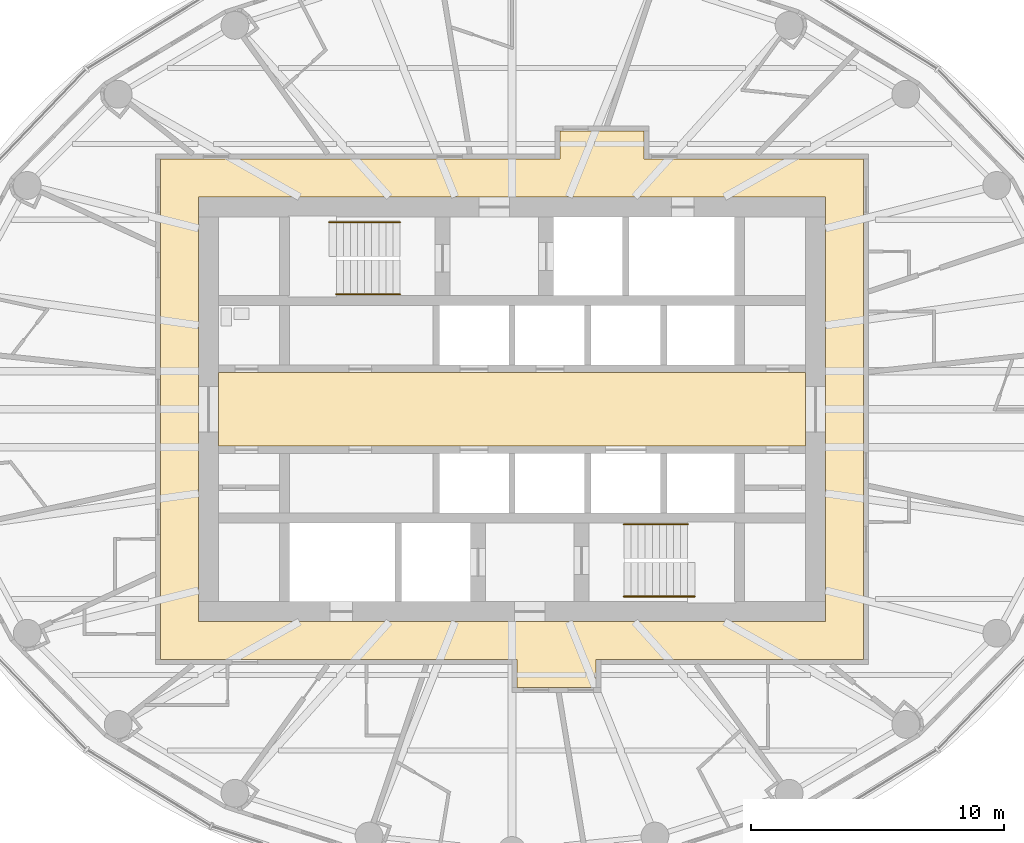
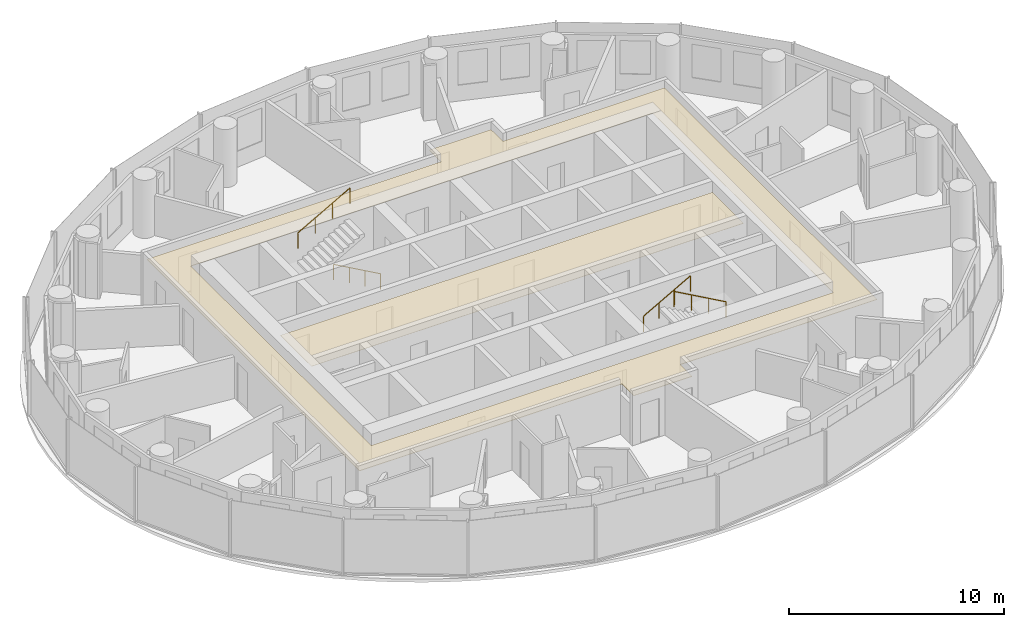
# One storey, part 13 of 14: 4 railings, 2 coverings.
"""IFC4 building model written with IfcOpenShell, lengths in metres."""

from ifc_helpers import new_model, si_unit, direction, frame, origin, origin_2d, place, context, subcontext, project, spatial, polyline, circle, outline, extrude, material, layer, layer_set, type_object, element, save


model = new_model("IFC4")

# Units and contexts
model_context = context("Model", 3, precision=1e-05, world=origin(), true_north=direction((0.0, 1.0)))
body_context = subcontext(model_context, "Body", "Model", "MODEL_VIEW")
ifc_project = project(units=[si_unit("LENGTHUNIT", "METRE"), si_unit("AREAUNIT", "SQUARE_METRE"), si_unit("VOLUMEUNIT", "CUBIC_METRE"), si_unit("PLANEANGLEUNIT", "RADIAN"), si_unit("MASSUNIT", "GRAM", prefix="KILO")], contexts=[model_context])

# Site, building, storey
site_placement = place(None, origin())
site = spatial("IfcSite", under=ifc_project, at=site_placement, CompositionType="ELEMENT")
building_placement = place(site_placement, origin())
building = spatial("IfcBuilding", under=site, at=building_placement, Name="Hankou Lantern Tower", CompositionType="ELEMENT")
storey_placement = place(building_placement, frame((0.0, 0.0, 179.699951171875)))
storey = spatial("IfcBuildingStorey", under=building, at=storey_placement, Name="L48", CompositionType="ELEMENT", Elevation=179.699951171875)

# Coverings
ifc_material_1 = material(Name="Black painted aluminium linear ceiling panels", Category="aluminium")
ifc_layer_1 = layer(ifc_material_1, 0.02490234375)
ifc_layer_set_1 = layer_set([ifc_layer_1], Name="Black painted aluminium linear ceiling panels")
covering_type_1 = type_object("IfcCoveringType", Name="CL1 CORRIDOR CEILING 25", PredefinedType="CEILING", material=ifc_layer_set_1)
covering_1_placement = place(storey_placement, frame((0.0, 0.0, 2.64501953125)))
element("IfcCovering", 1, at=covering_1_placement, inside=storey, type_object=covering_type_1, Name="Corridor ceiling L48", PredefinedType="CEILING", context=body_context, shape_type="SweptSolid", body=[
    extrude(outline(polyline([(3.318115234375, -9.89990234375), (13.89990234375, -9.89990234375), (13.89990234375, 9.89990234375), (5.226806640625, 9.89990234375), (5.226806640625, 11.0), (1.907470703125, 11.0), (1.907470703125, 9.89990234375), (-13.89990234375, 9.89990234375), (-13.89990234375, -9.89990234375), (0.194091796875, -9.89990234375), (0.194091796875, -11.0), (3.318115234375, -11.0), (3.318115234375, -9.89990234375)]), holes=[polyline([(-12.39990234375, 8.39990234375), (12.39990234375, 8.39990234375), (12.39990234375, -8.39990234375), (-12.39990234375, -8.39990234375), (-12.39990234375, 8.39990234375)])]), origin(), (0.0, 0.0, 1.0), 0.025146484375),
])
ifc_material_2 = material(Name="Perforated black aluminium acoustic tray ceiling", Category="aluminium")
ifc_layer_2 = layer(ifc_material_2, 0.014892578125)
ifc_layer_set_2 = layer_set([ifc_layer_2], Name="Perforated black aluminium acoustic tray ceiling")
covering_type_2 = type_object("IfcCoveringType", Name="CL2 LIFT LOBBY CEILING 15", PredefinedType="CEILING", material=ifc_layer_set_2)
covering_2_placement = place(storey_placement, frame((0.0, 0.0, 2.655029296875)))
element("IfcCovering", 2, at=covering_2_placement, inside=storey, type_object=covering_type_2, Name="Lift lobby ceiling L48", PredefinedType="CEILING", context=body_context, shape_type="SweptSolid", body=[
    extrude(outline(polyline([(-11.60009765625, -1.449951171875), (11.60009765625, -1.449951171875), (11.60009765625, 1.449951171875), (-11.60009765625, 1.449951171875), (-11.60009765625, -1.449951171875)])), origin(), (0.0, 0.0, 1.0), 0.01513671875),
])

# Railings
ifc_material_3 = material(Name="Steel handrail", Category="steel")
railing_type = type_object("IfcRailingType", Name="HR1 STAIR HANDRAIL", PredefinedType="HANDRAIL", material=ifc_material_3)
railing_1_placement = place(storey_placement, frame((-4.429931640625, 4.550048828125, 0.900146484375)))
element("IfcRailing", 3, at=railing_1_placement, inside=storey, type_object=railing_type, Name="Handrail stair STA L48 flight 1", PredefinedType="HANDRAIL", context=body_context, shape_type="SweptSolid", body=[
    extrude(circle(Radius=0.02392578125, at=origin_2d()), frame((0.0, 0.0, 0.8759765625), z_axis=(-0.872048945198, 0.0, 0.489418672692), x_axis=(0.0, -1.0, 0.0)), (0.0, 0.0, 1.0), 2.8896484375),
    extrude(circle(Radius=0.02099609375, at=origin_2d()), origin(), (0.0, 0.0, 1.0), 0.851806640625),
    extrude(circle(Radius=0.02099609375, at=origin_2d()), frame((-0.840087890625, 0.0, 0.471435546875)), (0.0, 0.0, 1.0), 0.851806640625),
    extrude(circle(Radius=0.02099609375, at=origin_2d()), frame((-1.679931640625, 0.0, 0.94287109375)), (0.0, 0.0, 1.0), 0.851806640625),
    extrude(circle(Radius=0.02099609375, at=origin_2d()), frame((-2.52001953125, 0.0, 1.414306640625)), (0.0, 0.0, 1.0), 0.851806640625),
])
railing_2_placement = place(storey_placement, frame((-7.22998046875, 7.39990234375, 2.471435546875)))
element("IfcRailing", 4, at=railing_2_placement, inside=storey, type_object=railing_type, Name="Handrail stair STA L48 flight 2", PredefinedType="HANDRAIL", context=body_context, shape_type="SweptSolid", body=[
    extrude(circle(Radius=0.02392578125, at=origin_2d()), frame((0.0, 0.0, 0.8759765625), z_axis=(0.872040151574, 0.0, 0.489434340891), x_axis=(0.0, 1.0, 0.0)), (0.0, 0.0, 1.0), 3.2109375),
    extrude(circle(Radius=0.02099609375, at=origin_2d()), origin(), (0.0, 0.0, 1.0), 0.851806640625),
    extrude(circle(Radius=0.02099609375, at=origin_2d()), frame((0.933349609375, 0.0, 0.52392578125)), (0.0, 0.0, 1.0), 0.851806640625),
    extrude(circle(Radius=0.02099609375, at=origin_2d()), frame((1.86669921875, 0.0, 1.047607421875)), (0.0, 0.0, 1.0), 0.851806640625),
    extrude(circle(Radius=0.02099609375, at=origin_2d()), frame((2.800048828125, 0.0, 1.571533203125)), (0.0, 0.0, 1.0), 0.851806640625),
])
railing_3_placement = place(storey_placement, frame((4.429931640625, -4.550048828125, 0.900146484375)))
element("IfcRailing", 5, at=railing_3_placement, inside=storey, type_object=railing_type, Name="Handrail stair STB L48 flight 1", PredefinedType="HANDRAIL", context=body_context, shape_type="SweptSolid", body=[
    extrude(circle(Radius=0.02392578125, at=origin_2d()), frame((0.0, 0.0, 0.8759765625), z_axis=(0.872048945198, 0.0, 0.489418672692), x_axis=(0.0, 1.0, 0.0)), (0.0, 0.0, 1.0), 2.8896484375),
    extrude(circle(Radius=0.02099609375, at=origin_2d()), origin(), (0.0, 0.0, 1.0), 0.851806640625),
    extrude(circle(Radius=0.02099609375, at=origin_2d()), frame((0.840087890625, 0.0, 0.471435546875)), (0.0, 0.0, 1.0), 0.851806640625),
    extrude(circle(Radius=0.02099609375, at=origin_2d()), frame((1.679931640625, 0.0, 0.94287109375)), (0.0, 0.0, 1.0), 0.851806640625),
    extrude(circle(Radius=0.02099609375, at=origin_2d()), frame((2.52001953125, 0.0, 1.414306640625)), (0.0, 0.0, 1.0), 0.851806640625),
])
railing_4_placement = place(storey_placement, frame((7.22998046875, -7.39990234375, 2.471435546875)))
element("IfcRailing", 6, at=railing_4_placement, inside=storey, type_object=railing_type, Name="Handrail stair STB L48 flight 2", PredefinedType="HANDRAIL", context=body_context, shape_type="SweptSolid", body=[
    extrude(circle(Radius=0.02392578125, at=origin_2d()), frame((0.0, 0.0, 0.8759765625), z_axis=(-0.872040151574, 0.0, 0.489434340891), x_axis=(0.0, -1.0, 0.0)), (0.0, 0.0, 1.0), 3.2109375),
    extrude(circle(Radius=0.02099609375, at=origin_2d()), origin(), (0.0, 0.0, 1.0), 0.851806640625),
    extrude(circle(Radius=0.02099609375, at=origin_2d()), frame((-0.933349609375, 0.0, 0.52392578125)), (0.0, 0.0, 1.0), 0.851806640625),
    extrude(circle(Radius=0.02099609375, at=origin_2d()), frame((-1.86669921875, 0.0, 1.047607421875)), (0.0, 0.0, 1.0), 0.851806640625),
    extrude(circle(Radius=0.02099609375, at=origin_2d()), frame((-2.800048828125, 0.0, 1.571533203125)), (0.0, 0.0, 1.0), 0.851806640625),
])

save(model, "model.ifc")
